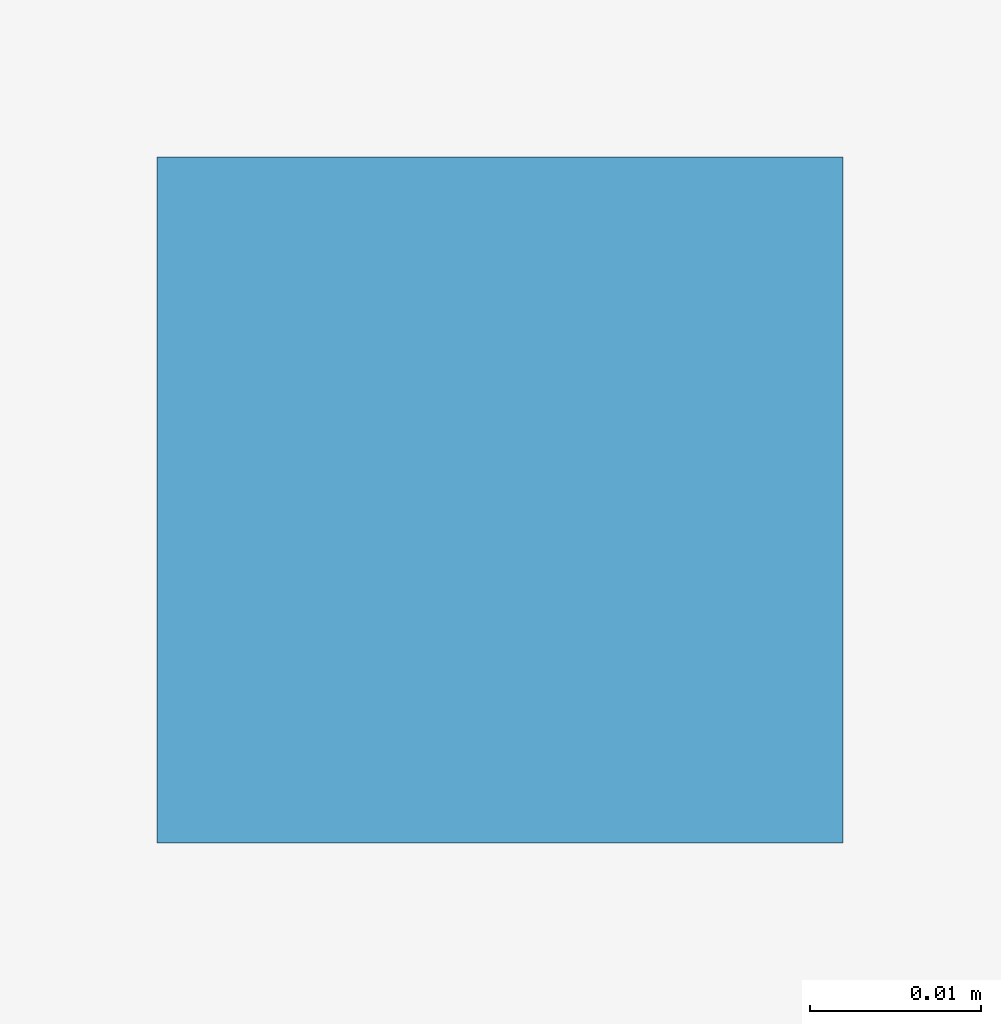
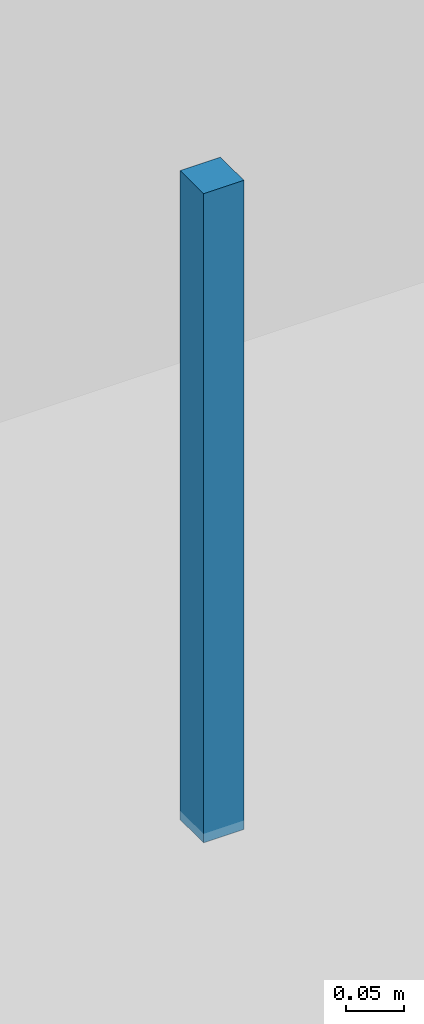
# One storey, part 23 of 28: 1 discrete accessory.
"""IFC4 building model written with IfcOpenShell, lengths in metres."""

from ifc_helpers import new_model, si_unit, direction, frame, origin, origin_2d, place, context, subcontext, project, spatial, rectangle, extrude, material, type_object, element, save


model = new_model("IFC4")

# Units and contexts
model_context = context("Model", 3, precision=1e-05, world=origin(), true_north=direction((0.0, 1.0)))
body_context = subcontext(model_context, "Body", "Model", "MODEL_VIEW")
ifc_project = project(units=[si_unit("LENGTHUNIT", "METRE"), si_unit("AREAUNIT", "SQUARE_METRE"), si_unit("VOLUMEUNIT", "CUBIC_METRE"), si_unit("PLANEANGLEUNIT", "RADIAN"), si_unit("MASSUNIT", "GRAM", prefix="KILO")], contexts=[model_context])

# Site, building, storey
site_placement = place(None, origin())
site = spatial("IfcSite", under=ifc_project, at=site_placement, CompositionType="ELEMENT")
building_placement = place(site_placement, origin())
building = spatial("IfcBuilding", under=site, at=building_placement, Name="Alvorim Cloister Faculty of Sciences", CompositionType="ELEMENT")
storey_placement = place(building_placement, frame((0.0, 0.0, -4.5)))
storey = spatial("IfcBuildingStorey", under=building, at=storey_placement, Name="B01", CompositionType="ELEMENT", Elevation=-4.5)

# Discrete accessory
ifc_material = material(Name="Galvanised Painted Steel", Category="steel")
discrete_accessory_type = type_object("IfcDiscreteAccessoryType", Name="ACC-CEIL-ROD", PredefinedType="BRACKET", material=ifc_material)
discrete_accessory_placement = place(storey_placement, frame((63.14990234375, 5.35009765625, 3.580078125), z_axis=(0.0, 0.0, 1.0), x_axis=(1.0, 0.0, 0.0)))
element("IfcDiscreteAccessory", 1, at=discrete_accessory_placement, inside=storey, type_object=discrete_accessory_type, Name="Ceiling Suspension Bracket ACC-ROD-002", PredefinedType="BRACKET", context=body_context, shape_type="SweptSolid", body=[
    extrude(rectangle(XDim=0.0400390625, YDim=0.0400390625, at=origin_2d()), origin(), (0.0, 0.0, 1.0), 0.679931640625),
])

save(model, "model.ifc")
